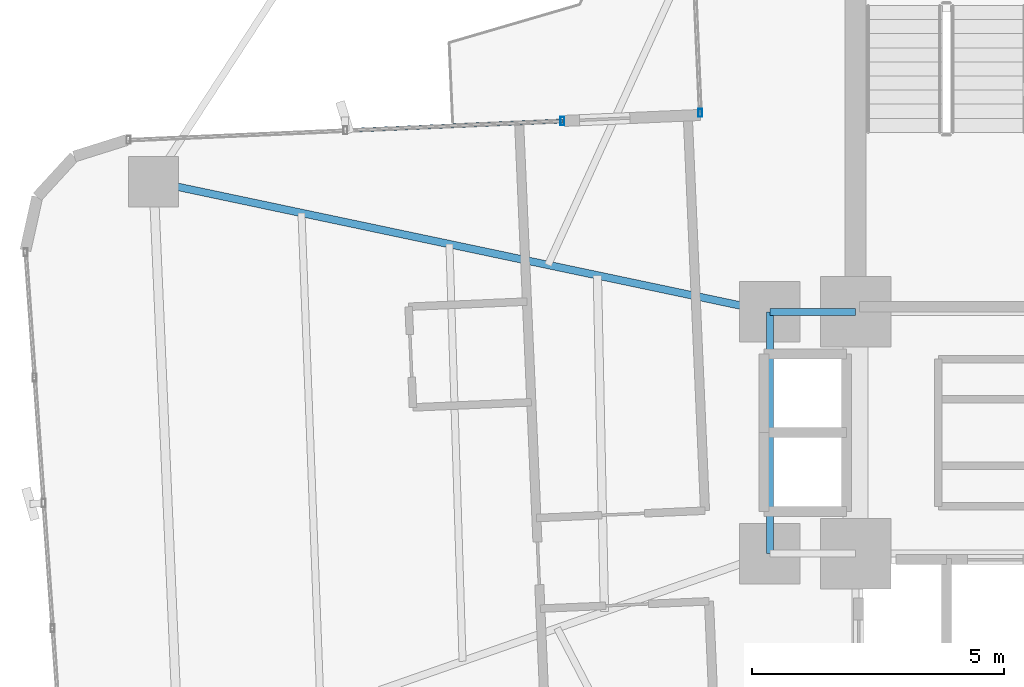
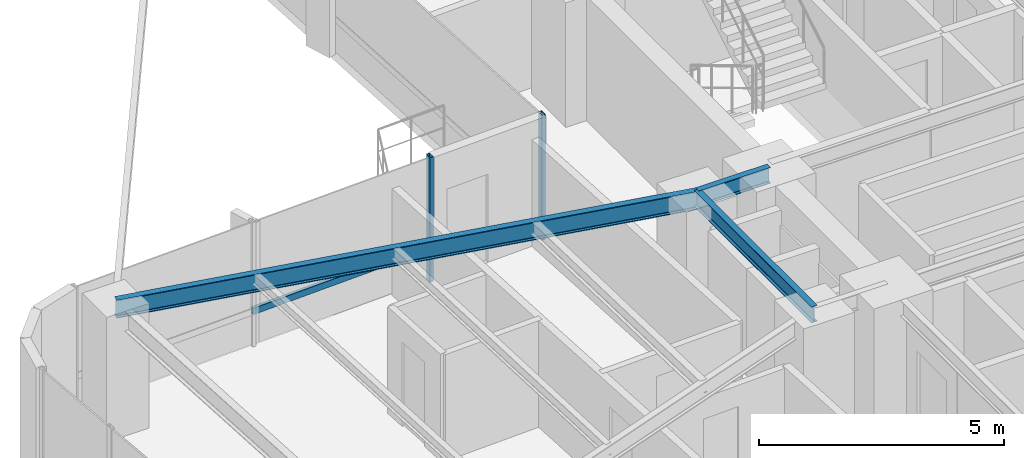
# One storey, part 10 of 26: 3 beams, 3 members, 2 elements without a shape of their own.
"""IFC4 building model written with IfcOpenShell, lengths in metres."""

from ifc_helpers import new_model, si_unit, direction, frame, origin, origin_2d, place, context, subcontext, project, spatial, hollow_rectangle, i_section, extrude, source, transform, mapped, material, material_profile, profile_set, type_object, element, aggregate, save


model = new_model("IFC4")

# Units and contexts
model_context = context("Model", 3, precision=1e-05, world=origin(), true_north=direction((0.0, 1.0)))
body_context = subcontext(model_context, "Body", "Model", "MODEL_VIEW")
ifc_project = project(units=[si_unit("LENGTHUNIT", "METRE"), si_unit("AREAUNIT", "SQUARE_METRE"), si_unit("VOLUMEUNIT", "CUBIC_METRE"), si_unit("PLANEANGLEUNIT", "RADIAN"), si_unit("MASSUNIT", "GRAM", prefix="KILO")], contexts=[model_context])

# Site, building, storey
site_placement = place(None, origin())
site = spatial("IfcSite", under=ifc_project, at=site_placement, CompositionType="ELEMENT")
building_placement = place(site_placement, origin())
building = spatial("IfcBuilding", under=site, at=building_placement, Name="Sahyath Konkavel Grand Hotel", CompositionType="ELEMENT")
storey_placement = place(building_placement, frame((0.0, 0.0, 128.199951171875)))
storey = spatial("IfcBuildingStorey", under=building, at=storey_placement, Name="L35", CompositionType="ELEMENT", Elevation=128.199951171875)

# Beams
ifc_material_1 = material(Name="Steel E350", Category="steel")
ifc_material_profile_1 = material_profile(ifc_material_1, i_section(OverallWidth=0.139892578125, OverallDepth=0.39990234375, WebThickness=0.0087890625, FlangeThickness=0.01611328125, FilletRadius=0.013916015625, at=origin_2d()), Name="ISMB 400")
ifc_profile_set_1 = profile_set([ifc_material_profile_1], Name="Steel E350")
beam_type_1 = type_object("IfcBeamType", Name="BM-ISMB400", PredefinedType="BEAM", material=ifc_profile_set_1)
shared_shape_1 = source(origin(), body_context, "Body", "SweptSolid", [
    extrude(i_section(OverallWidth=0.139892578125, OverallDepth=0.39990234375, WebThickness=0.0087890625, FlangeThickness=0.01611328125, FilletRadius=0.013916015625, at=origin_2d()), origin(), (0.0, 0.0, 1.0), 1.699951171875),
])
beam_1_placement = place(storey_placement, frame((-5.5, 2.39990234375, 2.91015625), z_axis=(1.0, 0.0, 0.0), x_axis=(0.0, 1.0, 0.0)))
element("IfcBeam", 1, at=beam_1_placement, inside=storey, type_object=beam_type_1, Name="str:bm:L35:HB-NW", PredefinedType="BEAM", context=body_context, shape_type="MappedRepresentation", body=[
    mapped(shared_shape_1, transform((0.0, 0.0, 0.0), scale=1.0)),
])
shared_shape_2 = source(origin(), body_context, "Body", "SweptSolid", [
    extrude(i_section(OverallWidth=0.139892578125, OverallDepth=0.39990234375, WebThickness=0.0087890625, FlangeThickness=0.01611328125, FilletRadius=0.013916015625, at=origin_2d()), origin(), (0.0, 0.0, 1.0), 4.7998046875),
])
beam_2_placement = place(storey_placement, frame((-5.5, -2.39990234375, 2.91015625), z_axis=(0.0, 1.0, 0.0), x_axis=(-1.0, 0.0, 0.0)))
element("IfcBeam", 2, at=beam_2_placement, inside=storey, type_object=beam_type_1, Name="str:bm:L35:HB-W", PredefinedType="BEAM", context=body_context, shape_type="MappedRepresentation", body=[
    mapped(shared_shape_2, transform((0.0, 0.0, 0.0), scale=1.0)),
])
ifc_material_profile_2 = material_profile(ifc_material_1, i_section(OverallWidth=0.14990234375, OverallDepth=0.449951171875, WebThickness=0.009521484375, FlangeThickness=0.017333984375, FilletRadius=0.014892578125, at=origin_2d()), Name="ISMB 450")
ifc_profile_set_2 = profile_set([ifc_material_profile_2], Name="Steel E350")
beam_type_2 = type_object("IfcBeamType", Name="BM-ISMB450", PredefinedType="BEAM", material=ifc_profile_set_2)
shared_shape_3 = source(origin(), body_context, "Body", "SweptSolid", [
    extrude(i_section(OverallWidth=0.14990234375, OverallDepth=0.449951171875, WebThickness=0.009521484375, FlangeThickness=0.017333984375, FilletRadius=0.014892578125, at=origin_2d()), origin(), (0.0, 0.0, 1.0), 12.50341796875),
])
beam_3_placement = place(storey_placement, frame((-5.5, 2.39990234375, 2.885009765625), z_axis=(-0.978457911392, 0.206446398937, 0.0), x_axis=(-0.206446398937, -0.978457911392, 0.0)))
element("IfcBeam", 3, at=beam_3_placement, inside=storey, type_object=beam_type_2, Name="L35 Cruciform Radial Girder WA", PredefinedType="BEAM", context=body_context, shape_type="MappedRepresentation", body=[
    mapped(shared_shape_3, transform((0.0, 0.0, 0.0), scale=1.0)),
])

# Curtain wall, member
ifc_material_2 = material(Name="Anodised Bronze Aluminium & Low-E Glazing", Category="aluminium")
curtain_wall_type = type_object("IfcCurtainWallType", Name="CW-ZONE2", PredefinedType="NOTDEFINED", material=ifc_material_2)
curtain_wall_1_placement = place(storey_placement, origin())
curtain_wall_1 = element("IfcCurtainWall", 4, at=curtain_wall_1_placement, inside=storey, type_object=curtain_wall_type, Name="L35 Unitised Curtain Wall F15", PredefinedType="NOTDEFINED")
ifc_material_3 = material(Name="Anodised Bronze Aluminium", Category="aluminium")
ifc_material_profile_3 = material_profile(ifc_material_3, hollow_rectangle(XDim=0.080078125, YDim=0.159912109375, WallThickness=0.006103515625, at=origin_2d()), Name="RHS 160x80x6")
ifc_profile_set_3 = profile_set([ifc_material_profile_3], Name="Anodised Bronze Aluminium")
member_type_1 = type_object("IfcMemberType", Name="CW-MUL-160", PredefinedType="MULLION", material=ifc_profile_set_3)
shared_shape_4 = source(origin(), body_context, "Body", "SweptSolid", [
    extrude(hollow_rectangle(XDim=0.080078125, YDim=0.159912109375, WallThickness=0.006103515625, at=origin_2d()), origin(), (0.0, 0.0, 1.0), 3.110107421875),
])
member_1_placement = place(storey_placement, frame((-6.88330078125, 6.345703125, 0.0), z_axis=(0.0, 0.0, 1.0), x_axis=(1.0, 0.0, 0.0)))
member_1 = element("IfcMember", 5, at=member_1_placement, type_object=member_type_1, Name="L35 Curtain Wall Mullion F15-2", PredefinedType="MULLION", context=body_context, shape_type="MappedRepresentation", body=[
    mapped(shared_shape_4, transform((0.0, 0.0, 0.0), scale=1.0)),
])
aggregate(curtain_wall_1, [member_1])

# Curtain wall, members
curtain_wall_2_placement = place(storey_placement, origin())
curtain_wall_2 = element("IfcCurtainWall", 6, at=curtain_wall_2_placement, inside=storey, type_object=curtain_wall_type, Name="L35 Unitised Curtain Wall F16", PredefinedType="NOTDEFINED")
member_2_placement = place(storey_placement, frame((-9.618896484375, 6.186279296875, 0.0), z_axis=(0.0, 0.0, 1.0), x_axis=(1.0, 0.0, 0.0)))
member_2 = element("IfcMember", 7, at=member_2_placement, type_object=member_type_1, Name="L35 Curtain Wall Mullion F16-0", PredefinedType="MULLION", context=body_context, shape_type="MappedRepresentation", body=[
    mapped(shared_shape_4, transform((0.0, 0.0, 0.0), scale=1.0)),
])
ifc_material_profile_4 = material_profile(ifc_material_3, hollow_rectangle(XDim=0.080078125, YDim=0.159912109375, WallThickness=0.006103515625, at=origin_2d()), Name="RHS 160x80x6")
ifc_profile_set_4 = profile_set([ifc_material_profile_4], Name="Anodised Bronze Aluminium")
member_type_2 = type_object("IfcMemberType", Name="CW-TRN-160", PredefinedType="USERDEFINED", material=ifc_profile_set_4)
shared_shape_5 = source(origin(), body_context, "Body", "SweptSolid", [
    extrude(hollow_rectangle(XDim=0.080078125, YDim=0.159912109375, WallThickness=0.006103515625, at=origin_2d()), origin(), (0.0, 0.0, 1.0), 4.31005859375),
])
member_3_placement = place(storey_placement, frame((-9.618896484375, 6.186279296875, 0.85009765625), z_axis=(-0.999048340188, -0.043616670746, 0.0), x_axis=(0.043616670746, -0.999048340188, 0.0)))
member_3 = element("IfcMember", 8, at=member_3_placement, type_object=member_type_2, Name="L35 Curtain Wall Transom F16-0-spandrel", ObjectType="TRANSOM", PredefinedType="USERDEFINED", context=body_context, shape_type="MappedRepresentation", body=[
    mapped(shared_shape_5, transform((0.0, 0.0, 0.0), scale=1.0)),
])
aggregate(curtain_wall_2, [member_2, member_3])

save(model, "model.ifc")
